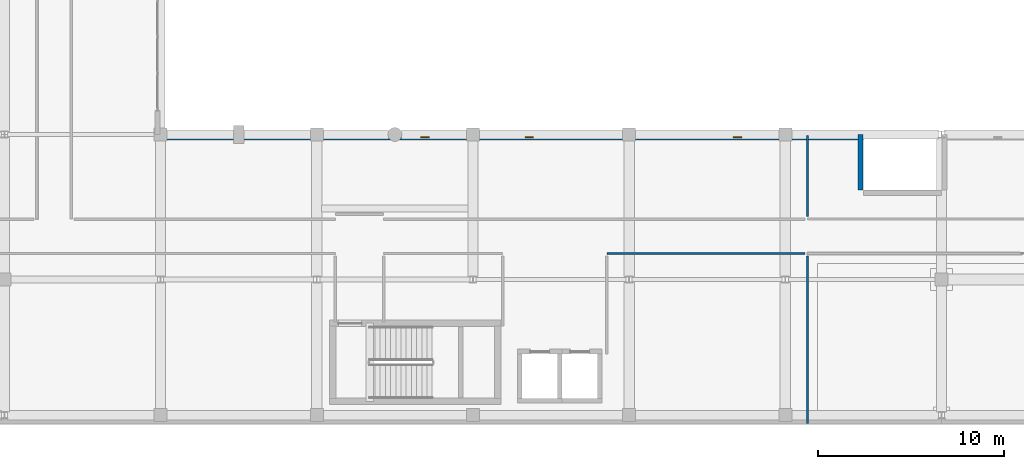
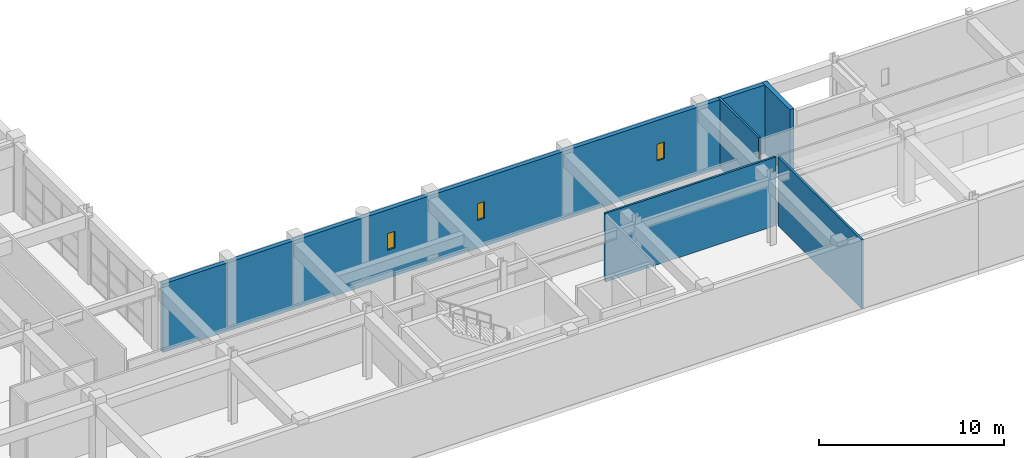
# One storey, part 104 of 123: 5 walls, 3 windows, 3 openings.
"""IFC4 building model written with IfcOpenShell, lengths in metres."""

from ifc_helpers import new_model, si_unit, direction, frame, frame_2d, origin, place, context, subcontext, project, spatial, rectangle, extrude, material, layer, layer_set, type_object, element, fill, save


model = new_model("IFC4")

# Units and contexts
model_context = context("Model", 3, precision=1e-05, world=origin(), true_north=direction((0.0, 1.0)))
body_context = subcontext(model_context, "Body", "Model", "MODEL_VIEW")
ifc_project = project(units=[si_unit("LENGTHUNIT", "METRE"), si_unit("AREAUNIT", "SQUARE_METRE"), si_unit("VOLUMEUNIT", "CUBIC_METRE"), si_unit("PLANEANGLEUNIT", "RADIAN"), si_unit("MASSUNIT", "GRAM", prefix="KILO")], contexts=[model_context])

# Site, building, storey
site_placement = place(None, origin())
site = spatial("IfcSite", under=ifc_project, at=site_placement, CompositionType="ELEMENT")
building_placement = place(site_placement, origin())
building = spatial("IfcBuilding", under=site, at=building_placement, Name="Quendrovan Civic Courthouse", CompositionType="ELEMENT")
storey_placement = place(building_placement, frame((0.0, 0.0, 5.39990234375)))
storey = spatial("IfcBuildingStorey", under=building, at=storey_placement, Name="L02", CompositionType="ELEMENT", Elevation=5.39990234375)

# Wall, openings, windows
ifc_material_1 = material(Name="Concrete C40/50", Category="concrete")
ifc_layer_1 = layer(ifc_material_1, 0.27001953125, Name="Concrete C40/50")
ifc_layer_set_1 = layer_set([ifc_layer_1], Name="Concrete C40/50")
wall_type_1 = type_object("IfcWallType", Name="WL-EXT-RC270", PredefinedType="SOLIDWALL", material=ifc_layer_set_1)
wall_1_placement = place(storey_placement, frame((16.800048828125, 15.445068359375, 0.0), z_axis=(0.0, 0.0, 1.0), x_axis=(1.0, 0.0, 0.0)))
wall_1 = element("IfcWall", 1, at=wall_1_placement, inside=storey, type_object=wall_type_1, Name="L02 Exterior Precast Concrete Wall 187", PredefinedType="SOLIDWALL", context=body_context, shape_type="SweptSolid", body=[
    extrude(rectangle(XDim=37.800048828125, YDim=0.27001953125, at=frame_2d((18.89990234375, 0.0))), origin(), (0.0, 0.0, 1.0), 4.52001953125),
])
opening_1_placement = place(wall_1_placement, frame((14.0, 0.0, 1.85009765625)))
opening_1 = element("IfcOpeningElement", 2, at=opening_1_placement, cuts=wall_1, Name="Opening WS01", PredefinedType="OPENING", context=body_context, shape_type="SweptSolid", body=[
    extrude(rectangle(XDim=0.449951171875, YDim=1.10009765625, at=frame_2d((0.22509765625, 0.550048828125))), frame((0.0, 0.14501953125, 0.0), z_axis=(0.0, -1.0, 0.0), x_axis=(1.0, 0.0, 0.0)), (0.0, 0.0, 1.0), 0.2900390625),
])
opening_2_placement = place(wall_1_placement, frame((19.60009765625, 0.0, 1.85009765625)))
opening_2 = element("IfcOpeningElement", 3, at=opening_2_placement, cuts=wall_1, Name="Opening WS01", PredefinedType="OPENING", context=body_context, shape_type="SweptSolid", body=[
    extrude(rectangle(XDim=0.449951171875, YDim=1.10009765625, at=frame_2d((0.22509765625, 0.550048828125))), frame((0.0, 0.14501953125, 0.0), z_axis=(0.0, -1.0, 0.0), x_axis=(1.0, 0.0, 0.0)), (0.0, 0.0, 1.0), 0.2900390625),
])
opening_3_placement = place(wall_1_placement, frame((30.800048828125, 0.0, 1.85009765625)))
opening_3 = element("IfcOpeningElement", 4, at=opening_3_placement, cuts=wall_1, Name="Opening WS01", PredefinedType="OPENING", context=body_context, shape_type="SweptSolid", body=[
    extrude(rectangle(XDim=0.449951171875, YDim=1.10009765625, at=frame_2d((0.22509765625, 0.550048828125))), frame((0.0, 0.14501953125, 0.0), z_axis=(0.0, -1.0, 0.0), x_axis=(1.0, 0.0, 0.0)), (0.0, 0.0, 1.0), 0.2900390625),
])
ifc_material_2 = material(Name="Polycarbonate laminated security glass", Category="glass")
window_type = type_object("IfcWindowType", Name="WIN-SEC-SLOT", PartitioningType="SINGLE_PANEL", PredefinedType="WINDOW", material=ifc_material_2)
window_1_placement = place(opening_1_placement, origin())
window_1 = element("IfcWindow", 5, at=window_1_placement, inside=storey, type_object=window_type, Name="L02 Custody High-Sill Security Window 0001", OverallHeight=1.10009765625, OverallWidth=0.449951171875, PartitioningType="SINGLE_PANEL", PredefinedType="WINDOW", context=body_context, shape_type="SweptSolid", body=[
    extrude(rectangle(XDim=0.449951171875, YDim=1.10009765625, at=frame_2d((0.22509765625, 0.550048828125))), frame((0.0, 0.030029296875, 0.0), z_axis=(0.0, -1.0, 0.0), x_axis=(1.0, 0.0, 0.0)), (0.0, 0.0, 1.0), 0.06005859375),
])
fill(opening_1, window_1)
window_2_placement = place(opening_2_placement, origin())
window_2 = element("IfcWindow", 6, at=window_2_placement, inside=storey, type_object=window_type, Name="L02 Custody High-Sill Security Window 0002", OverallHeight=1.10009765625, OverallWidth=0.449951171875, PartitioningType="SINGLE_PANEL", PredefinedType="WINDOW", context=body_context, shape_type="SweptSolid", body=[
    extrude(rectangle(XDim=0.449951171875, YDim=1.10009765625, at=frame_2d((0.22509765625, 0.550048828125))), frame((0.0, 0.030029296875, 0.0), z_axis=(0.0, -1.0, 0.0), x_axis=(1.0, 0.0, 0.0)), (0.0, 0.0, 1.0), 0.06005859375),
])
fill(opening_2, window_2)
window_3_placement = place(opening_3_placement, origin())
window_3 = element("IfcWindow", 7, at=window_3_placement, inside=storey, type_object=window_type, Name="L02 Custody High-Sill Security Window 0003", OverallHeight=1.10009765625, OverallWidth=0.449951171875, PartitioningType="SINGLE_PANEL", PredefinedType="WINDOW", context=body_context, shape_type="SweptSolid", body=[
    extrude(rectangle(XDim=0.449951171875, YDim=1.10009765625, at=frame_2d((0.22509765625, 0.550048828125))), frame((0.0, 0.030029296875, 0.0), z_axis=(0.0, -1.0, 0.0), x_axis=(1.0, 0.0, 0.0)), (0.0, 0.0, 1.0), 0.06005859375),
])
fill(opening_3, window_3)

# Walls
wall_2_placement = place(storey_placement, frame((54.445068359375, 15.60009765625, 0.0), z_axis=(0.0, 0.0, 1.0), x_axis=(0.0, -1.0, 0.0)))
element("IfcWall", 8, at=wall_2_placement, inside=storey, type_object=wall_type_1, Name="L02 Exterior Precast Concrete Wall 188", PredefinedType="SOLIDWALL", context=body_context, shape_type="SweptSolid", body=[
    extrude(rectangle(XDim=3.0, YDim=0.27001953125, at=frame_2d((1.5, 0.0))), origin(), (0.0, 0.0, 1.0), 4.52001953125),
])
ifc_material_3 = material(Name="Gypsum stud partition")
ifc_layer_2 = layer(ifc_material_3, 0.1298828125, Name="Gypsum stud partition")
ifc_layer_set_2 = layer_set([ifc_layer_2], Name="Gypsum stud partition")
wall_type_2 = type_object("IfcWallType", Name="WL-REG-130", PredefinedType="PARTITIONING", material=ifc_layer_set_2)
wall_3_placement = place(storey_placement, frame((40.800048828125, 9.199951171875, 0.0), z_axis=(0.0, 0.0, 1.0), x_axis=(1.0, 0.0, 0.0)))
element("IfcWall", 9, at=wall_3_placement, inside=storey, type_object=wall_type_2, Name="L02 Judicial Case Administration Office Partition 0332", PredefinedType="PARTITIONING", context=body_context, shape_type="SweptSolid", body=[
    extrude(rectangle(XDim=10.64990234375, YDim=0.1298828125, at=frame_2d((5.324951171875, 0.0))), origin(), (0.0, 0.0, 1.0), 4.52001953125),
])
wall_4_placement = place(storey_placement, frame((51.590087890625, 9.06005859375, 0.0), z_axis=(0.0, 0.0, 1.0), x_axis=(0.0, -1.0, 0.0)))
element("IfcWall", 10, at=wall_4_placement, inside=storey, type_object=wall_type_2, Name="L02 Judicial Case Administration Office Partition 0336", PredefinedType="PARTITIONING", context=body_context, shape_type="SweptSolid", body=[
    extrude(rectangle(XDim=9.0, YDim=0.1298828125, at=frame_2d((4.5, 0.0))), origin(), (0.0, 0.0, 1.0), 4.52001953125),
])
wall_5_placement = place(storey_placement, frame((51.590087890625, 15.5400390625, 0.0), z_axis=(0.0, 0.0, 1.0), x_axis=(0.0, -1.0, 0.0)))
element("IfcWall", 11, at=wall_5_placement, inside=storey, type_object=wall_type_2, Name="L02 Judicial Case Administration Office Partition 0360", PredefinedType="PARTITIONING", context=body_context, shape_type="SweptSolid", body=[
    extrude(rectangle(XDim=4.35009765625, YDim=0.1298828125, at=frame_2d((2.175048828125, 0.0))), origin(), (0.0, 0.0, 1.0), 4.52001953125),
])

save(model, "model.ifc")
